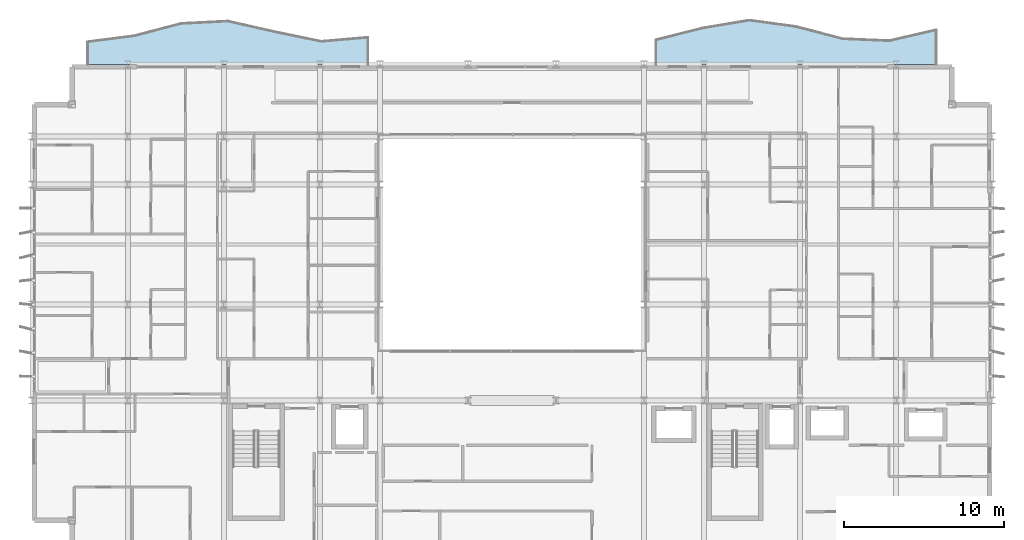
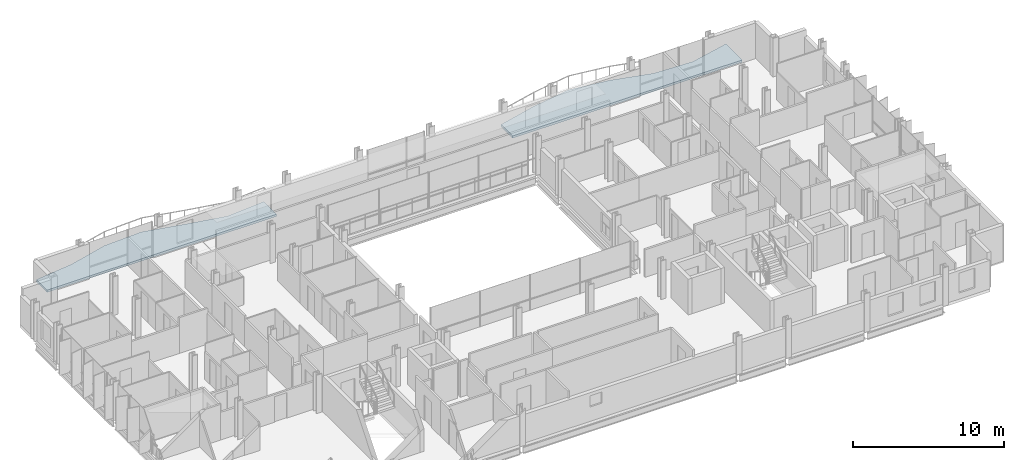
# One storey, part 25 of 38: 2 slabs.
"""IFC4 building model written with IfcOpenShell, lengths in metres."""

from ifc_helpers import new_model, si_unit, direction, frame, origin, place, context, subcontext, project, spatial, polyline, outline, extrude, material, layer, layer_set, type_object, element, save


model = new_model("IFC4")

# Units and contexts
model_context = context("Model", 3, precision=1e-05, world=origin(), true_north=direction((0.0, 1.0)))
body_context = subcontext(model_context, "Body", "Model", "MODEL_VIEW")
ifc_project = project(units=[si_unit("LENGTHUNIT", "METRE"), si_unit("AREAUNIT", "SQUARE_METRE"), si_unit("VOLUMEUNIT", "CUBIC_METRE"), si_unit("PLANEANGLEUNIT", "RADIAN"), si_unit("MASSUNIT", "GRAM", prefix="KILO")], contexts=[model_context])

# Site, building, storey
site_placement = place(None, origin())
site = spatial("IfcSite", under=ifc_project, at=site_placement, CompositionType="ELEMENT")
building_placement = place(site_placement, origin())
building = spatial("IfcBuilding", under=site, at=building_placement, Name="Brevholm Reach", CompositionType="ELEMENT")
storey_placement = place(building_placement, frame((0.0, 0.0, 65.199951171875)))
storey = spatial("IfcBuildingStorey", under=building, at=storey_placement, Name="L18", CompositionType="ELEMENT", Elevation=65.199951171875)

# Slabs
ifc_material = material(Name="Precast Concrete C40/50", Category="concrete")
ifc_layer = layer(ifc_material, 0.179931640625)
ifc_layer_set = layer_set([ifc_layer], Name="Precast Concrete C40/50")
slab_type = type_object("IfcSlabType", Name="SLB-BAL-180", PredefinedType="FLOOR", material=ifc_layer_set)
slab_1_placement = place(storey_placement, frame((0.0, 0.0, -0.179931640625)))
element("IfcSlab", 1, at=slab_1_placement, inside=storey, type_object=slab_type, Name="L18 Rippling External Balcony NE", PredefinedType="FLOOR", context=body_context, shape_type="SweptSolid", body=[
    extrude(outline(polyline([(39.0, 31.0), (56.5, 31.0), (56.5, 33.1455078125), (53.583251953125, 32.46826171875), (50.666748046875, 32.58935546875), (47.75, 33.349609375), (44.833251953125, 33.748291015625), (41.916748046875, 33.260986328125), (39.0, 32.52880859375), (39.0, 31.0)])), origin(), (0.0, 0.0, 1.0), 0.179931640625),
])
slab_2_placement = place(storey_placement, frame((0.0, 0.0, -0.179931640625)))
element("IfcSlab", 2, at=slab_2_placement, inside=storey, type_object=slab_type, Name="L18 Rippling External Balcony NW", PredefinedType="FLOOR", context=body_context, shape_type="SweptSolid", body=[
    extrude(outline(polyline([(3.5, 31.0), (21.0, 31.0), (21.0, 32.67822265625), (18.083251953125, 32.426025390625), (15.166748046875, 33.02783203125), (12.25, 33.691650390625), (9.333251953125, 33.5439453125), (6.416748046875, 32.779052734375), (3.5, 32.40380859375), (3.5, 31.0)])), origin(), (0.0, 0.0, 1.0), 0.179931640625),
])

save(model, "model.ifc")
